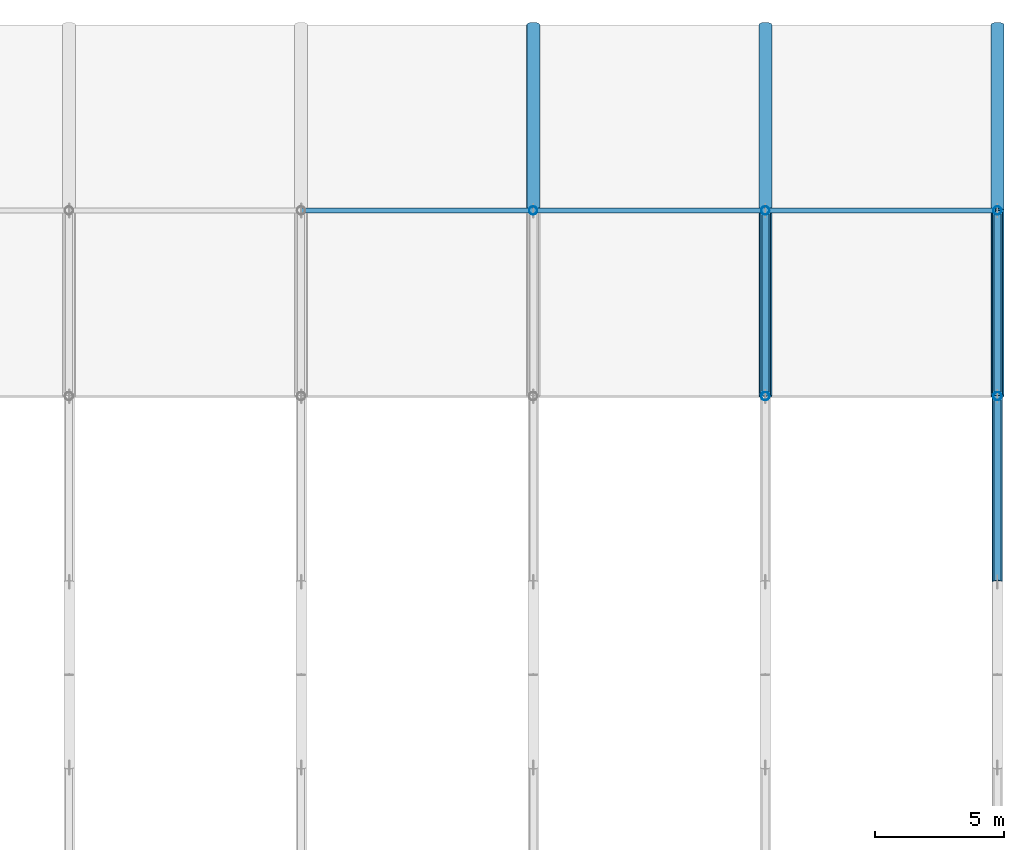
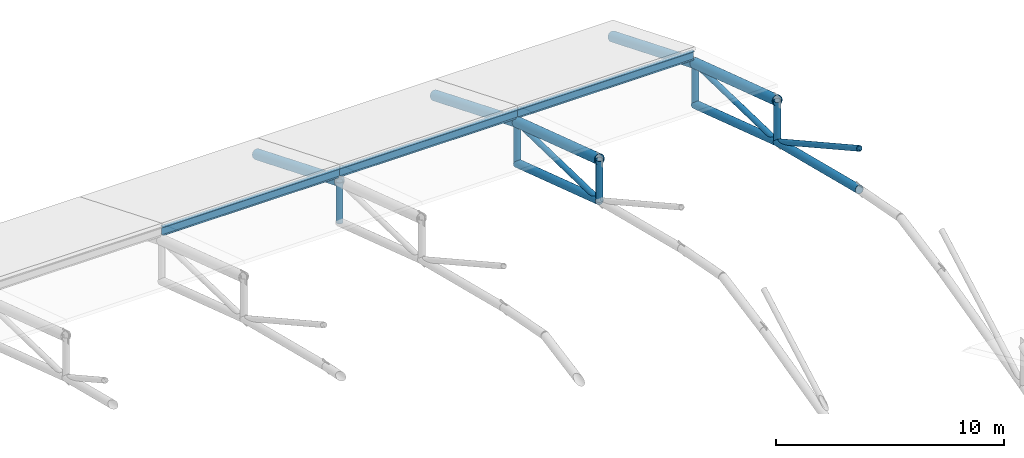
# One storey, part 53 of 78: 19 members.
"""IFC4 building model written with IfcOpenShell, lengths in metres."""

import ifcopenshell
import ifcopenshell.guid

model = None  # the IFC model being written
_history = None  # IfcOwnerHistory: only IFC2X3 demands one
_inside = {}  # id of a spatial element -> (the spatial element, [elements in it])
_under = {}  # id of a project, library or spatial element -> (it, [spatial elements below it])
_declared = {}  # id of a project -> (the project, [libraries it declares])
_typed = {}  # id of a type object -> (the type object, [elements of that type])
_made_of = {}  # id of a material, layer set ... -> (it, [elements and type objects made of it])


def new_model(schema):
    """Start an empty IFC model of exactly this schema.

    Asked for "IFC4X3", IfcOpenShell would pick the latest addendum, in which some entities
    have other attributes; the version numbers below select the first issue.
    IFC2X3 requires an IfcOwnerHistory on every rooted entity: one is made here for all.
    """
    global model, _history
    if schema == "IFC4X3":
        model = ifcopenshell.file(schema_version=(4, 3, 0, 0))
    else:
        model = ifcopenshell.file(schema=schema)
    _inside.clear()
    _under.clear()
    _declared.clear()
    _typed.clear()
    _made_of.clear()
    _history = None
    if model.schema == "IFC2X3":
        org = make("IfcOrganization", Name="unknown")
        user = make(
            "IfcPersonAndOrganization",
            ThePerson=make("IfcPerson", FamilyName="unknown"),
            TheOrganization=org,
        )
        app = make(
            "IfcApplication",
            ApplicationDeveloper=org,
            Version="unknown",
            ApplicationFullName="unknown",
            ApplicationIdentifier="unknown",
        )
        _history = make(
            "IfcOwnerHistory",
            OwningUser=user,
            OwningApplication=app,
            ChangeAction="ADDED",
            CreationDate=0,
        )
    return model


def make(cls, **values):
    """One entity of the class cls with the attributes given. An attribute that is None is left unset."""
    return model.create_entity(
        cls, **{name: value for name, value in values.items() if value is not None}
    )


def rooted(cls, **values):
    """An entity with a GlobalId (a new one), such as an element, a storey or a relation."""
    return make(cls, GlobalId=ifcopenshell.guid.new(), OwnerHistory=_history, **values)


def si_unit(unit_type, name, prefix=None):
    """IfcSIUnit, for example si_unit("LENGTHUNIT", "METRE", prefix="MILLI")."""
    return make("IfcSIUnit", UnitType=unit_type, Prefix=prefix, Name=name)


def assignment(units):
    """IfcUnitAssignment: the units of a project."""
    return None if units is None else make("IfcUnitAssignment", Units=units)


def point(xyz):
    """IfcCartesianPoint."""
    return None if xyz is None else make("IfcCartesianPoint", Coordinates=xyz)


def direction(xyz):
    """IfcDirection."""
    return None if xyz is None else make("IfcDirection", DirectionRatios=xyz)


def frame(location, z_axis=None, x_axis=None):
    """IfcAxis2Placement3D, a coordinate frame: its origin and axes. An axis left out is left unset."""
    return make(
        "IfcAxis2Placement3D",
        Location=point(location),
        Axis=direction(z_axis),
        RefDirection=direction(x_axis),
    )


def frame_2d(location, x_axis=None):
    """IfcAxis2Placement2D, a coordinate frame in the plane: its origin and x axis."""
    return make(
        "IfcAxis2Placement2D", Location=point(location), RefDirection=direction(x_axis)
    )


def origin():
    """The frame at (0, 0, 0) with its axes left unset."""
    return frame((0.0, 0.0, 0.0))


def origin_2d():
    """The frame at (0, 0) in the plane with its x axis left unset."""
    return frame_2d((0.0, 0.0))


def place(relative_to, where):
    """IfcLocalPlacement: puts the frame where relative to a parent placement (None: the world)."""
    return make(
        "IfcLocalPlacement", PlacementRelTo=relative_to, RelativePlacement=where
    )


def context(
    kind, dimensions, precision=None, world=None, true_north=None, identifier=None
):
    """IfcGeometricRepresentationContext, for example the 3D "Model" context."""
    return make(
        "IfcGeometricRepresentationContext",
        ContextIdentifier=identifier,
        ContextType=kind,
        CoordinateSpaceDimension=dimensions,
        Precision=precision,
        WorldCoordinateSystem=world,
        TrueNorth=true_north,
    )


def subcontext(parent, identifier, kind, view, scale=None):
    """IfcGeometricRepresentationSubContext, for example "Body" below "Model"."""
    return make(
        "IfcGeometricRepresentationSubContext",
        ContextIdentifier=identifier,
        ContextType=kind,
        ParentContext=parent,
        TargetScale=scale,
        TargetView=view,
    )


def project(units=None, contexts=None):
    """IfcProject with its units and contexts."""
    return rooted(
        "IfcProject",
        Name="project",
        RepresentationContexts=contexts,
        UnitsInContext=assignment(units),
    )


def spatial(cls, under=None, at=None, **own):
    """A site, building, storey or space (cls), placed at a placement, below another one or the project."""
    s = rooted(cls, ObjectPlacement=at, **own)
    if under is not None:
        _under.setdefault(under.id(), (under, []))[1].append(s)
    return s


def profile(cls, at=None, kind="AREA", **sizes):
    """A parametric profile (cls). Its sizes go by their IFC names, for example OverallWidth=200.0."""
    return make(cls, ProfileType=kind, Position=at, **sizes)


def hollow_circle(**sizes):
    """IfcCircleHollowProfileDef."""
    return profile("IfcCircleHollowProfileDef", **sizes)


def i_section(**sizes):
    """IfcIShapeProfileDef."""
    return profile("IfcIShapeProfileDef", **sizes)


def extrude(swept, where, along, depth):
    """IfcExtrudedAreaSolid: the profile swept, set in the frame where, extruded along a direction by depth."""
    return make(
        "IfcExtrudedAreaSolid",
        SweptArea=swept,
        Position=where,
        ExtrudedDirection=direction(along),
        Depth=depth,
    )


def shape(context_of_items, identifier, shape_type, items):
    """IfcShapeRepresentation: the items that make up one representation, for example the "Body"."""
    return make(
        "IfcShapeRepresentation",
        ContextOfItems=context_of_items,
        RepresentationIdentifier=identifier,
        RepresentationType=shape_type,
        Items=items,
    )


def material(Name=None, Category=None):
    """IfcMaterial."""
    return make("IfcMaterial", Name=Name, Category=Category)


def material_profile(
    of_material, cross_section, Name=None, Category=None, Priority=None
):
    """IfcMaterialProfile: a cross section and its material."""
    return make(
        "IfcMaterialProfile",
        Name=Name,
        Material=of_material,
        Profile=cross_section,
        Priority=Priority,
        Category=Category,
    )


def profile_set(profiles, Name=None, composite=None):
    """IfcMaterialProfileSet."""
    return make(
        "IfcMaterialProfileSet",
        Name=Name,
        MaterialProfiles=profiles,
        CompositeProfile=composite,
    )


def made_of(thing, what):
    """Note that an element or type object is made of a material, layer set ...; save() writes the relation."""
    if what is not None:
        _made_of.setdefault(what.id(), (what, []))[1].append(thing)
    return thing


def type_object(cls, material=None, **own):
    """A type object (cls), such as IfcWallType, which elements share."""
    return made_of(rooted(cls, **own), material)


def element(
    cls,
    number,
    at=None,
    inside=None,
    cuts=None,
    type_object=None,
    material=None,
    context=None,
    identifier="Body",
    shape_type=None,
    held_by="IfcProductDefinitionShape",
    body=None,
    shapes=None,
    **own,
):
    """One element of the class cls, such as IfcWall. Its Tag is "e" and its number.

    at: its placement. inside: the storey or other place that contains it. cuts: it is an
    opening in that element (IfcRelVoidsElement). A single representation is given by context,
    identifier, shape_type and body (its items); several are given by shapes. held_by: the class
    of the entity that holds the representations. save() writes the other relations.
    """
    e = rooted(cls, Tag="e%d" % number, ObjectPlacement=at, **own)
    if body is not None:
        shapes = [shape(context, identifier, shape_type, body)]
    if shapes is not None:
        e.Representation = make(held_by, Representations=shapes)
    if inside is not None:
        _inside.setdefault(inside.id(), (inside, []))[1].append(e)
    if cuts is not None:
        rooted(
            "IfcRelVoidsElement", RelatingBuildingElement=cuts, RelatedOpeningElement=e
        )
    if type_object is not None:
        _typed.setdefault(type_object.id(), (type_object, []))[1].append(e)
    return made_of(e, material)


def aggregate(whole, parts):
    """IfcRelAggregates: a whole, such as a stair, and the parts it consists of."""
    return rooted("IfcRelAggregates", RelatingObject=whole, RelatedObjects=parts)


def save(model, path):
    """Write the relations noted so far, then the file.

    IfcRelAggregates (storeys below a building ...), IfcRelContainedInSpatialStructure (elements
    in a storey), IfcRelDefinesByType, IfcRelAssociatesMaterial and IfcRelDeclares: one each for
    every whole, place, type object, material and project.
    """
    for whole, parts in _under.values():
        aggregate(whole, parts)
    for where, things in _inside.values():
        rooted(
            "IfcRelContainedInSpatialStructure",
            RelatedElements=things,
            RelatingStructure=where,
        )
    for kind, things in _typed.values():
        rooted("IfcRelDefinesByType", RelatedObjects=things, RelatingType=kind)
    for what, things in _made_of.values():
        rooted("IfcRelAssociatesMaterial", RelatedObjects=things, RelatingMaterial=what)
    for by, libraries in _declared.values():
        rooted("IfcRelDeclares", RelatingContext=by, RelatedDefinitions=libraries)
    model.write(path)


model = new_model("IFC4")

# Units and contexts
model_context = context("Model", 3, precision=1e-05, world=origin(), true_north=direction((0.0, 1.0)))
body_context = subcontext(model_context, "Body", "Model", "MODEL_VIEW")
ifc_project = project(units=[si_unit("LENGTHUNIT", "METRE"), si_unit("AREAUNIT", "SQUARE_METRE"), si_unit("VOLUMEUNIT", "CUBIC_METRE"), si_unit("PLANEANGLEUNIT", "RADIAN"), si_unit("MASSUNIT", "GRAM", prefix="KILO")], contexts=[model_context])

# Site, building, storey
site_placement = place(None, origin())
site = spatial("IfcSite", under=ifc_project, at=site_placement, CompositionType="ELEMENT")
building_placement = place(site_placement, origin())
building = spatial("IfcBuilding", under=site, at=building_placement, Name="Celestram Park Convention Centre", CompositionType="ELEMENT")
storey_placement = place(building_placement, frame((0.0, 0.0, 19.800048828125)))
storey = spatial("IfcBuildingStorey", under=building, at=storey_placement, Name="L04", CompositionType="ELEMENT", Elevation=19.800048828125)

# Members
ifc_material_1 = material(Name="Steel ASTM A500 Grade C", Category="steel")
ifc_material_profile_1 = material_profile(ifc_material_1, hollow_circle(Radius=0.136474609375, WallThickness=0.010009765625, at=origin_2d()), Name="CHS273X10")
ifc_profile_set_1 = profile_set([ifc_material_profile_1], Name="Steel ASTM A500 Grade C")
member_type_1 = type_object("IfcMemberType", Name="STR-BRC-CHS273", PredefinedType="BRACE", material=ifc_profile_set_1)
member_1_placement = place(storey_placement, frame((207.0, 151.199951171875, 2.230712890625), z_axis=(0.0, 0.999715192935, -0.023864890842), x_axis=(-1.0, 0.0, 0.0)))
element("IfcMember", 1, at=member_1_placement, inside=storey, type_object=member_type_1, Name="V2 arch web diagonal", PredefinedType="BRACE", context=body_context, shape_type="SweptSolid", body=[
    extrude(hollow_circle(Radius=0.136474609375, WallThickness=0.010009765625, at=origin_2d()), origin(), (0.0, 0.0, 1.0), 7.201904296875),
])
member_2_placement = place(storey_placement, frame((216.0, 144.0, 6.2294921875), z_axis=(0.0, 0.874218793516, -0.485532183344), x_axis=(-1.0, 0.0, 0.0)))
element("IfcMember", 2, at=member_2_placement, inside=storey, type_object=member_type_1, Name="V2 arch web diagonal", PredefinedType="BRACE", context=body_context, shape_type="SweptSolid", body=[
    extrude(hollow_circle(Radius=0.136474609375, WallThickness=0.010009765625, at=origin_2d()), origin(), (0.0, 0.0, 1.0), 8.23583984375),
])
member_3_placement = place(storey_placement, frame((216.0, 151.199951171875, 2.230712890625), z_axis=(0.0, 0.999715192935, -0.023864890842), x_axis=(-1.0, 0.0, 0.0)))
element("IfcMember", 3, at=member_3_placement, inside=storey, type_object=member_type_1, Name="V2 arch web diagonal", PredefinedType="BRACE", context=body_context, shape_type="SweptSolid", body=[
    extrude(hollow_circle(Radius=0.136474609375, WallThickness=0.010009765625, at=origin_2d()), origin(), (0.0, 0.0, 1.0), 7.201904296875),
])
ifc_material_profile_2 = material_profile(ifc_material_1, hollow_circle(Radius=0.202880859375, WallThickness=0.013916015625, at=origin_2d()), Name="CHS406X14")
ifc_profile_set_2 = profile_set([ifc_material_profile_2], Name="Steel ASTM A500 Grade C")
member_type_2 = type_object("IfcMemberType", Name="STR-CHD-CHS406", PredefinedType="CHORD", material=ifc_profile_set_2)
member_4_placement = place(storey_placement, frame((207.0, 151.199951171875, 2.230712890625), z_axis=(0.0, 0.949791740943, -0.312882803678), x_axis=(-1.0, 0.0, 0.0)))
element("IfcMember", 4, at=member_4_placement, inside=storey, type_object=member_type_2, Name="V2 arch bottom chord", PredefinedType="CHORD", context=body_context, shape_type="SweptSolid", body=[
    extrude(hollow_circle(Radius=0.202880859375, WallThickness=0.013916015625, at=origin_2d()), origin(), (0.0, 0.0, 1.0), 7.58056640625),
])
member_5_placement = place(storey_placement, frame((216.0, 144.0, 4.029541015625), z_axis=(0.0, 0.970179256757, -0.242388551212), x_axis=(-1.0, 0.0, 0.0)))
element("IfcMember", 5, at=member_5_placement, inside=storey, type_object=member_type_2, Name="V2 arch bottom chord", PredefinedType="CHORD", context=body_context, shape_type="SweptSolid", body=[
    extrude(hollow_circle(Radius=0.202880859375, WallThickness=0.013916015625, at=origin_2d()), origin(), (0.0, 0.0, 1.0), 7.421142578125),
])
member_6_placement = place(storey_placement, frame((216.0, 151.199951171875, 2.230712890625), z_axis=(0.0, 0.949791740943, -0.312882803678), x_axis=(-1.0, 0.0, 0.0)))
element("IfcMember", 6, at=member_6_placement, inside=storey, type_object=member_type_2, Name="V2 arch bottom chord", PredefinedType="CHORD", context=body_context, shape_type="SweptSolid", body=[
    extrude(hollow_circle(Radius=0.202880859375, WallThickness=0.013916015625, at=origin_2d()), origin(), (0.0, 0.0, 1.0), 7.58056640625),
])
ifc_material_profile_3 = material_profile(ifc_material_1, hollow_circle(Radius=0.25390625, WallThickness=0.01611328125, at=origin_2d()), Name="CHS508X16")
ifc_profile_set_3 = profile_set([ifc_material_profile_3], Name="Steel ASTM A500 Grade C")
member_type_3 = type_object("IfcMemberType", Name="STR-CHD-CHS508", PredefinedType="CHORD", material=ifc_profile_set_3)
member_7_placement = place(storey_placement, frame((198.0, 158.39990234375, 2.058837890625), z_axis=(0.0, 0.925578947987, -0.378554634159), x_axis=(-1.0, 0.0, 0.0)))
element("IfcMember", 7, at=member_7_placement, inside=storey, type_object=member_type_3, Name="V2 arch top chord", PredefinedType="CHORD", context=body_context, shape_type="SweptSolid", body=[
    extrude(hollow_circle(Radius=0.25390625, WallThickness=0.01611328125, at=origin_2d()), origin(), (0.0, 0.0, 1.0), 7.779052734375),
])
member_8_placement = place(storey_placement, frame((207.0, 151.199951171875, 4.4306640625), z_axis=(0.0, 0.949791740943, -0.312882803678), x_axis=(-1.0, 0.0, 0.0)))
element("IfcMember", 8, at=member_8_placement, inside=storey, type_object=member_type_3, Name="V2 arch top chord", PredefinedType="CHORD", context=body_context, shape_type="SweptSolid", body=[
    extrude(hollow_circle(Radius=0.25390625, WallThickness=0.01611328125, at=origin_2d()), origin(), (0.0, 0.0, 1.0), 7.58056640625),
])
member_9_placement = place(storey_placement, frame((207.0, 158.39990234375, 2.058837890625), z_axis=(0.0, 0.925578947987, -0.378554634159), x_axis=(-1.0, 0.0, 0.0)))
element("IfcMember", 9, at=member_9_placement, inside=storey, type_object=member_type_3, Name="V2 arch top chord", PredefinedType="CHORD", context=body_context, shape_type="SweptSolid", body=[
    extrude(hollow_circle(Radius=0.25390625, WallThickness=0.01611328125, at=origin_2d()), origin(), (0.0, 0.0, 1.0), 7.779052734375),
])
member_10_placement = place(storey_placement, frame((216.0, 151.199951171875, 4.4306640625), z_axis=(0.0, 0.949791740943, -0.312882803678), x_axis=(-1.0, 0.0, 0.0)))
element("IfcMember", 10, at=member_10_placement, inside=storey, type_object=member_type_3, Name="V2 arch top chord", PredefinedType="CHORD", context=body_context, shape_type="SweptSolid", body=[
    extrude(hollow_circle(Radius=0.25390625, WallThickness=0.01611328125, at=origin_2d()), origin(), (0.0, 0.0, 1.0), 7.58056640625),
])
member_11_placement = place(storey_placement, frame((216.0, 158.39990234375, 2.058837890625), z_axis=(0.0, 0.925578947987, -0.378554634159), x_axis=(-1.0, 0.0, 0.0)))
element("IfcMember", 11, at=member_11_placement, inside=storey, type_object=member_type_3, Name="V2 arch top chord", PredefinedType="CHORD", context=body_context, shape_type="SweptSolid", body=[
    extrude(hollow_circle(Radius=0.25390625, WallThickness=0.01611328125, at=origin_2d()), origin(), (0.0, 0.0, 1.0), 7.779052734375),
])
ifc_material_2 = material(Name="Steel ASTM A992 Grade 50", Category="steel")
ifc_material_profile_4 = material_profile(ifc_material_2, i_section(OverallWidth=0.19091796875, OverallDepth=0.45703125, WebThickness=0.009033203125, FlangeThickness=0.014404296875, at=origin_2d()), Name="W18X50")
ifc_profile_set_4 = profile_set([ifc_material_profile_4], Name="Steel ASTM A992 Grade 50")
member_type_4 = type_object("IfcMemberType", Name="STR-RFT-W18X50", PredefinedType="RAFTER", material=ifc_profile_set_4)
for number, where, z_axis, x_axis, name in (
    (12, (189.0, 158.39990234375, 2.541259765625), (1.0, 0.0, 0.0), (0.0, 1.0, 0.0), "V2 roof purlin"),
    (13, (198.0, 158.39990234375, 2.541259765625), (1.0, 0.0, 0.0), (0.0, 1.0, 0.0), "V2 roof purlin"),
):
    element("IfcMember", number, at=place(storey_placement, frame(where, z_axis=z_axis, x_axis=x_axis)), inside=storey, type_object=member_type_4, Name=name, PredefinedType="RAFTER", context=body_context, shape_type="SweptSolid", body=[
        extrude(i_section(OverallWidth=0.19091796875, OverallDepth=0.45703125, WebThickness=0.009033203125, FlangeThickness=0.014404296875, at=origin_2d()), origin(), (0.0, 0.0, 1.0), 9.0),
    ])
member_12_placement = place(storey_placement, frame((207.0, 158.39990234375, 2.541259765625), z_axis=(1.0, 0.0, 0.0), x_axis=(0.0, 1.0, 0.0)))
element("IfcMember", 14, at=member_12_placement, inside=storey, type_object=member_type_4, Name="V2 roof purlin", PredefinedType="RAFTER", context=body_context, shape_type="SweptSolid", body=[
    extrude(i_section(OverallWidth=0.19091796875, OverallDepth=0.45703125, WebThickness=0.009033203125, FlangeThickness=0.014404296875, at=origin_2d()), origin(), (0.0, 0.0, 1.0), 8.919921875),
])
ifc_material_profile_5 = material_profile(ifc_material_1, hollow_circle(Radius=0.162109375, WallThickness=0.011962890625, at=origin_2d()), Name="CHS324X12")
ifc_profile_set_5 = profile_set([ifc_material_profile_5], Name="Steel ASTM A500 Grade C")
member_type_5 = type_object("IfcMemberType", Name="STR-STR-CHS324", PredefinedType="STRUT", material=ifc_profile_set_5)
for number, where, z_axis, x_axis, name in (
    (15, (198.0, 158.39990234375, -0.14111328125), (0.0, 0.0, 1.0), (1.0, 0.0, 0.0), "V2 arch vertical strut"),
    (16, (207.0, 151.199951171875, 2.230712890625), (0.0, 0.0, 1.0), (1.0, 0.0, 0.0), "V2 arch vertical strut"),
    (17, (207.0, 158.39990234375, -0.14111328125), (0.0, 0.0, 1.0), (1.0, 0.0, 0.0), "V2 arch vertical strut"),
    (18, (216.0, 151.199951171875, 2.230712890625), (0.0, 0.0, 1.0), (1.0, 0.0, 0.0), "V2 arch vertical strut"),
    (19, (216.0, 158.39990234375, -0.14111328125), (0.0, 0.0, 1.0), (1.0, 0.0, 0.0), "V2 arch vertical strut"),
):
    element("IfcMember", number, at=place(storey_placement, frame(where, z_axis=z_axis, x_axis=x_axis)), inside=storey, type_object=member_type_5, Name=name, PredefinedType="STRUT", context=body_context, shape_type="SweptSolid", body=[
        extrude(hollow_circle(Radius=0.162109375, WallThickness=0.011962890625, at=origin_2d()), origin(), (0.0, 0.0, 1.0), 2.199951171875),
    ])

save(model, "model.ifc")
